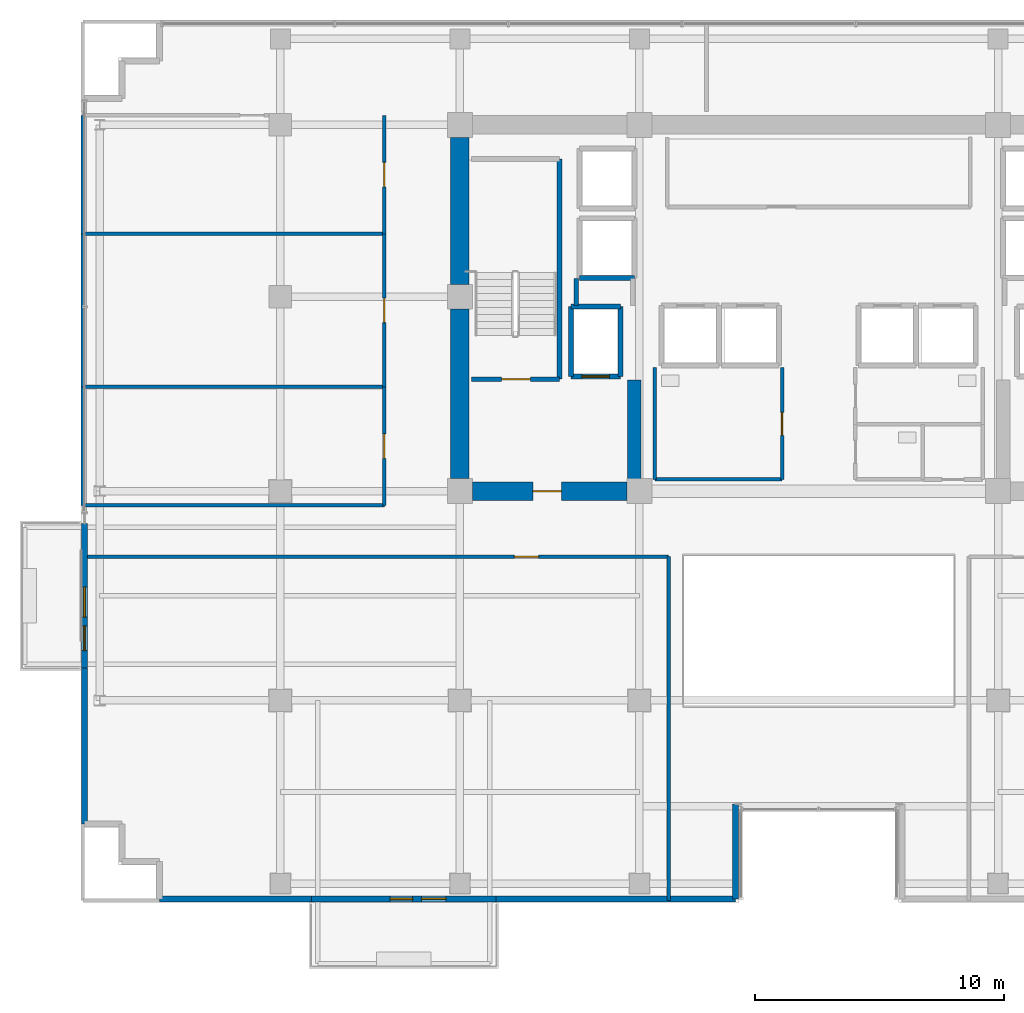
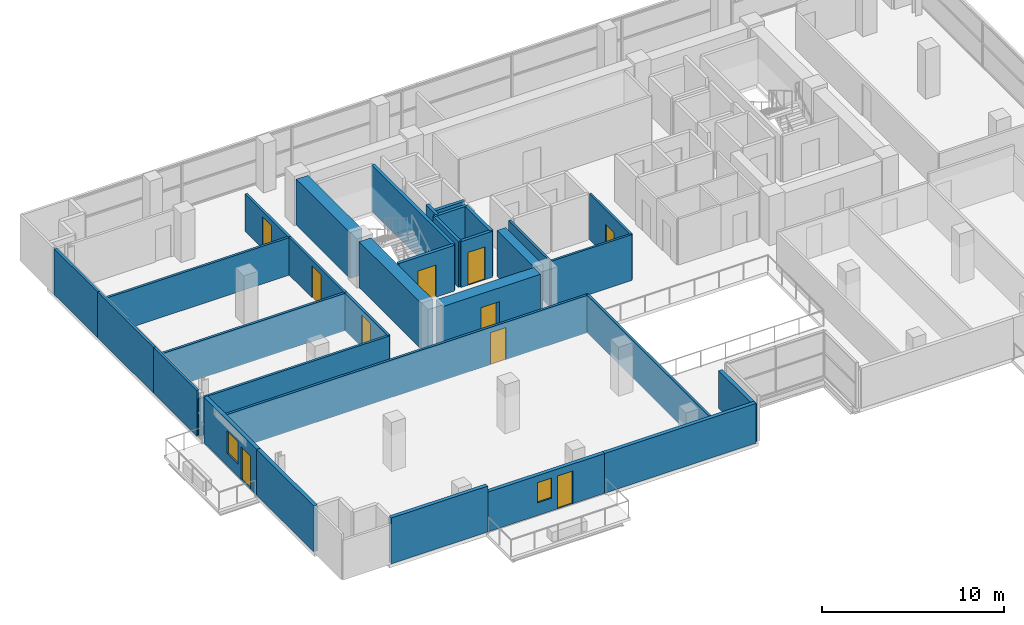
# One storey, part 20 of 28: 32 walls, 10 doors, 2 windows, 12 openings.
"""IFC4 building model written with IfcOpenShell, lengths in metres."""

from ifc_helpers import new_model, si_unit, direction, frame, frame_2d, origin, place, context, subcontext, project, spatial, rectangle, extrude, source, transform, mapped, material, layer, layer_set, type_object, element, fill, save


model = new_model("IFC4")

# Units and contexts
model_context = context("Model", 3, precision=1e-05, world=origin(), true_north=direction((0.0, 1.0)))
body_context = subcontext(model_context, "Body", "Model", "MODEL_VIEW")
ifc_project = project(units=[si_unit("LENGTHUNIT", "METRE"), si_unit("AREAUNIT", "SQUARE_METRE"), si_unit("VOLUMEUNIT", "CUBIC_METRE"), si_unit("PLANEANGLEUNIT", "RADIAN"), si_unit("MASSUNIT", "GRAM", prefix="KILO")], contexts=[model_context])

# Site, building, storey
site_placement = place(None, origin())
site = spatial("IfcSite", under=ifc_project, at=site_placement, CompositionType="ELEMENT")
building_placement = place(site_placement, origin())
building = spatial("IfcBuilding", under=site, at=building_placement, Name="Zarnakvel Exchange Tower", CompositionType="ELEMENT")
storey_placement = place(building_placement, frame((0.0, 0.0, 103.300048828125)))
storey = spatial("IfcBuildingStorey", under=building, at=storey_placement, Name="L28", CompositionType="ELEMENT", Elevation=103.300048828125)

# Walls
ifc_material_1 = material(Name="Concrete C60/75", Category="concrete")
ifc_layer_1 = layer(ifc_material_1, 0.75)
ifc_layer_set_1 = layer_set([ifc_layer_1], Name="Concrete C60/75")
wall_type_1 = type_object("IfcWallType", Name="CW-C3", PredefinedType="SHEAR", material=ifc_layer_set_1)
wall_1_placement = place(storey_placement, frame((-14.39990234375, -0.699951171875, 0.0), z_axis=(0.0, 0.0, 1.0), x_axis=(0.0, 1.0, 0.0)))
element("IfcWall", 1, at=wall_1_placement, inside=storey, type_object=wall_type_1, Name="L28 Rear Core Shear Wall W1 (CW-C3)", PredefinedType="SHEAR", context=body_context, shape_type="SweptSolid", body=[
    extrude(rectangle(XDim=6.800048828125, YDim=0.75, at=frame_2d((3.39990234375, 0.0))), origin(), (0.0, 0.0, 1.0), 3.074951171875),
])
wall_2_placement = place(storey_placement, frame((-14.39990234375, 7.10009765625, 0.0), z_axis=(0.0, 0.0, 1.0), x_axis=(0.0, 1.0, 0.0)))
element("IfcWall", 2, at=wall_2_placement, inside=storey, type_object=wall_type_1, Name="L28 Rear Core Shear Wall W2 (CW-C3)", PredefinedType="SHEAR", context=body_context, shape_type="SweptSolid", body=[
    extrude(rectangle(XDim=5.89990234375, YDim=0.75, at=frame_2d((2.949951171875, 0.0))), origin(), (0.0, 0.0, 1.0), 3.074951171875),
])

# Wall, opening, door
wall_3_placement = place(storey_placement, frame((-7.699951171875, -1.199951171875, 0.0), z_axis=(0.0, 0.0, 1.0), x_axis=(-1.0, 0.0, 0.0)))
wall_3 = element("IfcWall", 3, at=wall_3_placement, inside=storey, type_object=wall_type_1, Name="L28 Rear Core Shear Wall SW (CW-C3)", PredefinedType="SHEAR", context=body_context, shape_type="SweptSolid", body=[
    extrude(rectangle(XDim=6.199951171875, YDim=0.75, at=frame_2d((3.10009765625, 0.0))), origin(), (0.0, 0.0, 1.0), 3.074951171875),
])
opening_1_placement = place(wall_3_placement, frame((2.625, 0.0, 0.0)))
opening_1 = element("IfcOpeningElement", 4, at=opening_1_placement, cuts=wall_3, Name="Opening D-L28-03", PredefinedType="OPENING", context=body_context, shape_type="SweptSolid", body=[
    extrude(rectangle(XDim=1.14990234375, YDim=2.14990234375, at=frame_2d((0.574951171875, 1.074951171875))), frame((0.0, 0.385009765625, 0.0), z_axis=(0.0, -1.0, 0.0), x_axis=(1.0, 0.0, 0.0)), (0.0, 0.0, 1.0), 0.77001953125),
])
ifc_material_2 = material(Name="Painted Galvanised Steel S355", Category="steel")
door_type_1 = type_object("IfcDoorType", Name="DT-04", OperationType="NOTDEFINED", PredefinedType="DOOR", material=ifc_material_2)
shared_shape_1 = source(origin(), body_context, "Body", "SweptSolid", [
    extrude(rectangle(XDim=1.14990234375, YDim=2.14990234375, at=frame_2d((0.574951171875, 1.074951171875))), frame((0.0, 0.02490234375, 0.0), z_axis=(0.0, -1.0, 0.0), x_axis=(1.0, 0.0, 0.0)), (0.0, 0.0, 1.0), 0.050048828125),
])
door_1_placement = place(opening_1_placement, origin())
door_1 = element("IfcDoor", 5, at=door_1_placement, inside=storey, type_object=door_type_1, Name="L28 Firefighting Lobby West Door D-L28-03", OperationType="SINGLE_SWING_RIGHT", OverallHeight=2.14990234375, OverallWidth=1.14990234375, PredefinedType="DOOR", context=body_context, shape_type="MappedRepresentation", body=[
    mapped(shared_shape_1, transform((0.0, 0.0, 0.0), x_axis=(1.0, 0.0, 0.0), y_axis=(0.0, 1.0, 0.0), z_axis=(0.0, 0.0, 1.0), scale=1.0)),
])
fill(opening_1, door_1)

# Wall
ifc_layer_2 = layer(ifc_material_1, 0.550048828125)
ifc_layer_set_2 = layer_set([ifc_layer_2], Name="Concrete C60/75")
wall_type_2 = type_object("IfcWallType", Name="CW-C4", PredefinedType="SHEAR", material=ifc_layer_set_2)
wall_4_placement = place(storey_placement, frame((-7.39990234375, -0.824951171875, 0.0), z_axis=(0.0, 0.0, 1.0), x_axis=(0.0, 1.0, 0.0)))
element("IfcWall", 6, at=wall_4_placement, inside=storey, type_object=wall_type_2, Name="L28 Rear Core Shear Wall IW (CW-C4)", PredefinedType="SHEAR", context=body_context, shape_type="SweptSolid", body=[
    extrude(rectangle(XDim=4.074951171875, YDim=0.550048828125, at=frame_2d((2.03759765625, 0.0))), origin(), (0.0, 0.0, 1.0), 3.074951171875),
])

# Wall, openings, door, window
ifc_material_3 = material(Name="Precast concrete C40/50", Category="concrete")
ifc_layer_3 = layer(ifc_material_3, 0.239990234375)
ifc_layer_set_3 = layer_set([ifc_layer_3], Name="Precast concrete C40/50")
wall_type_3 = type_object("IfcWallType", Name="EW-02", PredefinedType="SOLIDWALL", material=ifc_layer_set_3)
wall_5_placement = place(storey_placement, frame((-12.949951171875, -17.56005859375, 0.0), z_axis=(0.0, 0.0, 1.0), x_axis=(-1.0, 0.0, 0.0)))
wall_5 = element("IfcWall", 7, at=wall_5_placement, inside=storey, type_object=wall_type_3, Name="L28 Exterior Precast Spandrel Wall EW-BAL-L28-SW (EW-02)", PredefinedType="SOLIDWALL", context=body_context, shape_type="SweptSolid", body=[
    extrude(rectangle(XDim=7.400146484375, YDim=0.239990234375, at=frame_2d((3.7001953125, 0.0))), origin(), (0.0, 0.0, 1.0), 2.6650390625),
])
opening_2_placement = place(wall_5_placement, frame((1.998046875, 0.0, 0.0)))
opening_2 = element("IfcOpeningElement", 8, at=opening_2_placement, cuts=wall_5, Name="Opening BD-L28-01", PredefinedType="OPENING", context=body_context, shape_type="SweptSolid", body=[
    extrude(rectangle(XDim=1.0, YDim=2.199951171875, at=frame_2d((0.5, 1.10009765625))), frame((0.0, 0.1298828125, 0.0), z_axis=(0.0, -1.0, 0.0), x_axis=(1.0, 0.0, 0.0)), (0.0, 0.0, 1.0), 0.260009765625),
])
opening_3_placement = place(wall_5_placement, frame((3.347900390625, 0.0, 0.85009765625)))
opening_3 = element("IfcOpeningElement", 9, at=opening_3_placement, cuts=wall_5, Name="Opening WN-06", PredefinedType="OPENING", context=body_context, shape_type="SweptSolid", body=[
    extrude(rectangle(XDim=0.89990234375, YDim=1.35009765625, at=frame_2d((0.449951171875, 0.675048828125))), frame((0.0, 0.1298828125, 0.0), z_axis=(0.0, -1.0, 0.0), x_axis=(1.0, 0.0, 0.0)), (0.0, 0.0, 1.0), 0.260009765625),
])
ifc_material_4 = material(Name="Architectural Bronze Anodised Aluminium", Category="aluminium")
door_type_2 = type_object("IfcDoorType", Name="DT-09", OperationType="NOTDEFINED", PredefinedType="DOOR", material=ifc_material_4)
shared_shape_2 = source(origin(), body_context, "Body", "SweptSolid", [
    extrude(rectangle(XDim=1.0, YDim=2.199951171875, at=frame_2d((0.5, 1.10009765625))), frame((0.0, 0.02490234375, 0.0), z_axis=(0.0, -1.0, 0.0), x_axis=(1.0, 0.0, 0.0)), (0.0, 0.0, 1.0), 0.050048828125),
])
door_2_placement = place(opening_2_placement, origin())
door_2 = element("IfcDoor", 10, at=door_2_placement, inside=storey, type_object=door_type_2, Name="L28 Planted Loggia Balcony Door BD-L28-01", OperationType="SINGLE_SWING_RIGHT", OverallHeight=2.199951171875, OverallWidth=1.0, PredefinedType="DOOR", context=body_context, shape_type="MappedRepresentation", body=[
    mapped(shared_shape_2, transform((0.0, 0.0, 0.0), x_axis=(1.0, 0.0, 0.0), y_axis=(0.0, 1.0, 0.0), z_axis=(0.0, 0.0, 1.0), scale=1.0)),
])
fill(opening_2, door_2)
ifc_material_5 = material(Name="Double Low-E Laminated Vision Glass", Category="glass")
window_type_1 = type_object("IfcWindowType", Name="WN-06", PartitioningType="SINGLE_PANEL", PredefinedType="WINDOW", material=ifc_material_5)
shared_shape_3 = source(origin(), body_context, "Body", "SweptSolid", [
    extrude(rectangle(XDim=0.89990234375, YDim=1.35009765625, at=frame_2d((0.449951171875, 0.675048828125))), frame((0.0, 0.030029296875, 0.0), z_axis=(0.0, -1.0, 0.0), x_axis=(1.0, 0.0, 0.0)), (0.0, 0.0, 1.0), 0.06005859375),
])
window_1_placement = place(opening_3_placement, origin())
window_1 = element("IfcWindow", 11, at=window_1_placement, inside=storey, type_object=window_type_1, Name="L28 Loggia Daylight Window (WN-06)", OverallHeight=1.35009765625, OverallWidth=0.89990234375, PartitioningType="SINGLE_PANEL", PredefinedType="WINDOW", context=body_context, shape_type="MappedRepresentation", body=[
    mapped(shared_shape_3, transform((0.0, 0.0, 0.0), x_axis=(1.0, 0.0, 0.0), y_axis=(0.0, 1.0, 0.0), z_axis=(0.0, 0.0, 1.0), scale=1.0)),
])
fill(opening_3, window_1)

wall_6_placement = place(storey_placement, frame((-29.4599609375, -8.300048828125, 0.0), z_axis=(0.0, 0.0, 1.0), x_axis=(0.0, 1.0, 0.0)))
wall_6 = element("IfcWall", 12, at=wall_6_placement, inside=storey, type_object=wall_type_3, Name="L28 Exterior Precast Spandrel Wall EW-BAL-L28-W (EW-02)", PredefinedType="SOLIDWALL", context=body_context, shape_type="SweptSolid", body=[
    extrude(rectangle(XDim=5.800048828125, YDim=0.239990234375, at=frame_2d((2.89990234375, 0.0))), origin(), (0.0, 0.0, 1.0), 3.074951171875),
])
opening_4_placement = place(wall_6_placement, frame((0.696044921875, 0.0, 0.0)))
opening_4 = element("IfcOpeningElement", 13, at=opening_4_placement, cuts=wall_6, Name="Opening BD-L28-03", PredefinedType="OPENING", context=body_context, shape_type="SweptSolid", body=[
    extrude(rectangle(XDim=1.0, YDim=2.199951171875, at=frame_2d((0.5, 1.10009765625))), frame((0.0, 0.1298828125, 0.0), z_axis=(0.0, -1.0, 0.0), x_axis=(1.0, 0.0, 0.0)), (0.0, 0.0, 1.0), 0.260009765625),
])
opening_5_placement = place(wall_6_placement, frame((2.0458984375, 0.0, 0.85009765625)))
opening_5 = element("IfcOpeningElement", 14, at=opening_5_placement, cuts=wall_6, Name="Opening WN-04", PredefinedType="OPENING", context=body_context, shape_type="SweptSolid", body=[
    extrude(rectangle(XDim=1.199951171875, YDim=1.5, at=frame_2d((0.60009765625, 0.75))), frame((0.0, 0.1298828125, 0.0), z_axis=(0.0, -1.0, 0.0), x_axis=(1.0, 0.0, 0.0)), (0.0, 0.0, 1.0), 0.260009765625),
])
door_3_placement = place(opening_4_placement, origin())
door_3 = element("IfcDoor", 15, at=door_3_placement, inside=storey, type_object=door_type_2, Name="L28 Planted Loggia Balcony Door BD-L28-03", OperationType="SINGLE_SWING_RIGHT", OverallHeight=2.199951171875, OverallWidth=1.0, PredefinedType="DOOR", context=body_context, shape_type="MappedRepresentation", body=[
    mapped(shared_shape_2, transform((0.0, 0.0, 0.0), x_axis=(1.0, 0.0, 0.0), y_axis=(0.0, 1.0, 0.0), z_axis=(0.0, 0.0, 1.0), scale=1.0)),
])
fill(opening_4, door_3)
window_type_2 = type_object("IfcWindowType", Name="WN-04", PartitioningType="SINGLE_PANEL", PredefinedType="WINDOW", material=ifc_material_5)
shared_shape_4 = source(origin(), body_context, "Body", "SweptSolid", [
    extrude(rectangle(XDim=1.199951171875, YDim=1.5, at=frame_2d((0.60009765625, 0.75))), frame((0.0, 0.030029296875, 0.0), z_axis=(0.0, -1.0, 0.0), x_axis=(1.0, 0.0, 0.0)), (0.0, 0.0, 1.0), 0.06005859375),
])
window_2_placement = place(opening_5_placement, origin())
window_2 = element("IfcWindow", 16, at=window_2_placement, inside=storey, type_object=window_type_2, Name="L28 Loggia Daylight Window (WN-04)", OverallHeight=1.5, OverallWidth=1.199951171875, PartitioningType="SINGLE_PANEL", PredefinedType="WINDOW", context=body_context, shape_type="MappedRepresentation", body=[
    mapped(shared_shape_4, transform((0.0, 0.0, 0.0), x_axis=(1.0, 0.0, 0.0), y_axis=(0.0, 1.0, 0.0), z_axis=(0.0, 0.0, 1.0), scale=1.0)),
])
fill(opening_5, window_2)

# Walls
wall_7_placement = place(storey_placement, frame((-29.4599609375, -8.300048828125, 0.0), z_axis=(0.0, 0.0, 1.0), x_axis=(0.0, -1.0, 0.0)))
element("IfcWall", 17, at=wall_7_placement, inside=storey, type_object=wall_type_3, Name="L28 Exterior Precast Spandrel Wall EWC-L28-01 (EW-02)", PredefinedType="SOLIDWALL", context=body_context, shape_type="SweptSolid", body=[
    extrude(rectangle(XDim=6.260009765625, YDim=0.239990234375, at=frame_2d((3.1298828125, 0.0))), origin(), (0.0, 0.0, 1.0), 3.074951171875),
])
wall_8_placement = place(storey_placement, frame((-3.340087890625, -17.56005859375, 0.0), z_axis=(0.0, 0.0, 1.0), x_axis=(0.0, 1.0, 0.0)))
element("IfcWall", 18, at=wall_8_placement, inside=storey, type_object=wall_type_3, Name="L28 Exterior Precast Spandrel Wall EWC-L28-20 (EW-02)", PredefinedType="SOLIDWALL", context=body_context, shape_type="SweptSolid", body=[
    extrude(rectangle(XDim=3.800048828125, YDim=0.239990234375, at=frame_2d((1.89990234375, 0.0))), origin(), (0.0, 0.0, 1.0), 2.514892578125),
])
wall_9_placement = place(storey_placement, frame((-12.949951171875, -17.56005859375, 0.0), z_axis=(0.0, 0.0, 1.0), x_axis=(1.0, 0.0, 0.0)))
element("IfcWall", 19, at=wall_9_placement, inside=storey, type_object=wall_type_3, Name="L28 Exterior Precast Spandrel Wall EWC-L28-21 (EW-02)", PredefinedType="SOLIDWALL", context=body_context, shape_type="SweptSolid", body=[
    extrude(rectangle(XDim=9.60986328125, YDim=0.239990234375, at=frame_2d((4.804931640625, 0.0))), origin(), (0.0, 0.0, 1.0), 2.6650390625),
])
wall_10_placement = place(storey_placement, frame((-26.4599609375, -17.56005859375, 0.0), z_axis=(0.0, 0.0, 1.0), x_axis=(1.0, 0.0, 0.0)))
element("IfcWall", 20, at=wall_10_placement, inside=storey, type_object=wall_type_3, Name="L28 Exterior Precast Spandrel Wall EWC-L28-22 (EW-02)", PredefinedType="SOLIDWALL", context=body_context, shape_type="SweptSolid", body=[
    extrude(rectangle(XDim=6.10986328125, YDim=0.239990234375, at=frame_2d((3.054931640625, 0.0))), origin(), (0.0, 0.0, 1.0), 3.074951171875),
])

# Wall, opening, door
ifc_material_6 = material(Name="Fire-Rated Gypsum Stud Partition", Category="gypsum")
ifc_layer_4 = layer(ifc_material_6, 0.14990234375)
ifc_layer_set_4 = layer_set([ifc_layer_4], Name="Fire-Rated Gypsum Stud Partition")
wall_type_4 = type_object("IfcWallType", Name="PT-01", PredefinedType="PARTITIONING", material=ifc_layer_set_4)
wall_11_placement = place(storey_placement, frame((-29.530029296875, -3.830078125, 0.0), z_axis=(0.0, 0.0, 1.0), x_axis=(1.0, 0.0, 0.0)))
wall_11 = element("IfcWall", 21, at=wall_11_placement, inside=storey, type_object=wall_type_4, Name="L28 Partition Wall PWALL-L28-026 (PT-01)", PredefinedType="PARTITIONING", context=body_context, shape_type="SweptSolid", body=[
    extrude(rectangle(XDim=23.510009765625, YDim=0.14990234375, at=frame_2d((11.7548828125, 0.0))), origin(), (0.0, 0.0, 1.0), 2.514892578125),
])
opening_6_placement = place(wall_11_placement, frame((17.31494140625, 0.0, 0.0)))
opening_6 = element("IfcOpeningElement", 22, at=opening_6_placement, cuts=wall_11, Name="Opening D-L28-10", PredefinedType="OPENING", context=body_context, shape_type="SweptSolid", body=[
    extrude(rectangle(XDim=0.97998046875, YDim=2.14990234375, at=frame_2d((0.489990234375, 1.074951171875))), frame((0.0, 0.0849609375, 0.0), z_axis=(0.0, -1.0, 0.0), x_axis=(1.0, 0.0, 0.0)), (0.0, 0.0, 1.0), 0.169921875),
])
ifc_material_7 = material(Name="Timber Acoustic Veneer", Category="wood")
door_type_3 = type_object("IfcDoorType", Name="DT-05", OperationType="NOTDEFINED", PredefinedType="DOOR", material=ifc_material_7)
shared_shape_5 = source(origin(), body_context, "Body", "SweptSolid", [
    extrude(rectangle(XDim=0.97998046875, YDim=2.14990234375, at=frame_2d((0.489990234375, 1.074951171875))), frame((0.0, 0.02490234375, 0.0), z_axis=(0.0, -1.0, 0.0), x_axis=(1.0, 0.0, 0.0)), (0.0, 0.0, 1.0), 0.050048828125),
])
door_4_placement = place(opening_6_placement, origin())
door_4 = element("IfcDoor", 23, at=door_4_placement, inside=storey, type_object=door_type_3, Name="L28 Derivatives Trading Hall Door D-L28-10", OperationType="SINGLE_SWING_LEFT", OverallHeight=2.14990234375, OverallWidth=0.97998046875, PredefinedType="DOOR", context=body_context, shape_type="MappedRepresentation", body=[
    mapped(shared_shape_5, transform((0.0, 0.0, 0.0), x_axis=(1.0, 0.0, 0.0), y_axis=(0.0, 1.0, 0.0), z_axis=(0.0, 0.0, 1.0), scale=1.0)),
])
fill(opening_6, door_4)

# Walls
wall_12_placement = place(storey_placement, frame((-6.02001953125, -3.830078125, 0.0), z_axis=(0.0, 0.0, 1.0), x_axis=(0.0, -1.0, 0.0)))
element("IfcWall", 24, at=wall_12_placement, inside=storey, type_object=wall_type_4, Name="L28 Partition Wall PWALL-L28-028 (PT-01)", PredefinedType="PARTITIONING", context=body_context, shape_type="SweptSolid", body=[
    extrude(rectangle(XDim=13.7998046875, YDim=0.14990234375, at=frame_2d((6.89990234375, 0.0))), origin(), (0.0, 0.0, 1.0), 2.514892578125),
])
for number, where, z_axis, x_axis, name in (
    (25, (-17.429931640625, -1.77001953125, 0.0), (0.0, 0.0, 1.0), (-1.0, 0.0, 0.0), "L28 Partition Wall PWALL-L28-039 (PT-01)"),
    (26, (-29.530029296875, 2.987060546875, 0.0), (0.0, 0.0, 1.0), (1.0, 0.0, 0.0), "L28 Partition Wall PWALL-L28-040 (PT-01)"),
):
    element("IfcWall", number, at=place(storey_placement, frame(where, z_axis=z_axis, x_axis=x_axis)), inside=storey, type_object=wall_type_4, Name=name, PredefinedType="PARTITIONING", context=body_context, shape_type="SweptSolid", body=[
        extrude(rectangle(XDim=12.10009765625, YDim=0.14990234375, at=frame_2d((6.050048828125, 0.0))), origin(), (0.0, 0.0, 1.0), 2.514892578125),
    ])
wall_13_placement = place(storey_placement, frame((-29.530029296875, -1.77001953125, 0.0), z_axis=(0.0, 0.0, 1.0), x_axis=(0.0, 1.0, 0.0)))
element("IfcWall", 27, at=wall_13_placement, inside=storey, type_object=wall_type_4, Name="L28 Partition Wall PWALL-L28-041 (PT-01)", PredefinedType="PARTITIONING", context=body_context, shape_type="SweptSolid", body=[
    extrude(rectangle(XDim=4.757080078125, YDim=0.14990234375, at=frame_2d((2.37841796875, 0.0))), origin(), (0.0, 0.0, 1.0), 3.074951171875),
])

# Wall, opening, door
wall_14_placement = place(storey_placement, frame((-17.429931640625, 2.987060546875, 0.0), z_axis=(0.0, 0.0, 1.0), x_axis=(0.0, -1.0, 0.0)))
wall_14 = element("IfcWall", 28, at=wall_14_placement, inside=storey, type_object=wall_type_4, Name="L28 Partition Wall PWALL-L28-042 (PT-01)", PredefinedType="PARTITIONING", context=body_context, shape_type="SweptSolid", body=[
    extrude(rectangle(XDim=4.757080078125, YDim=0.14990234375, at=frame_2d((2.37841796875, 0.0))), origin(), (0.0, 0.0, 1.0), 2.514892578125),
])
opening_7_placement = place(wall_14_placement, frame((1.887939453125, 0.0, 0.0)))
opening_7 = element("IfcOpeningElement", 29, at=opening_7_placement, cuts=wall_14, Name="Opening D-L28-14", PredefinedType="OPENING", context=body_context, shape_type="SweptSolid", body=[
    extrude(rectangle(XDim=0.97998046875, YDim=2.14990234375, at=frame_2d((0.489990234375, 1.074951171875))), frame((0.0, 0.0849609375, 0.0), z_axis=(0.0, -1.0, 0.0), x_axis=(1.0, 0.0, 0.0)), (0.0, 0.0, 1.0), 0.169921875),
])
door_5_placement = place(opening_7_placement, origin())
door_5 = element("IfcDoor", 30, at=door_5_placement, inside=storey, type_object=door_type_3, Name="L28 Executive Suite Door D-L28-14", OperationType="SINGLE_SWING_LEFT", OverallHeight=2.14990234375, OverallWidth=0.97998046875, PredefinedType="DOOR", context=body_context, shape_type="MappedRepresentation", body=[
    mapped(shared_shape_5, transform((0.0, 0.0, 0.0), x_axis=(1.0, 0.0, 0.0), y_axis=(0.0, 1.0, 0.0), z_axis=(0.0, 0.0, 1.0), scale=1.0)),
])
fill(opening_7, door_5)

# Walls
wall_15_placement = place(storey_placement, frame((-29.530029296875, 9.123046875, 0.0), z_axis=(0.0, 0.0, 1.0), x_axis=(1.0, 0.0, 0.0)))
element("IfcWall", 31, at=wall_15_placement, inside=storey, type_object=wall_type_4, Name="L28 Partition Wall PWALL-L28-043 (PT-01)", PredefinedType="PARTITIONING", context=body_context, shape_type="SweptSolid", body=[
    extrude(rectangle(XDim=12.10009765625, YDim=0.14990234375, at=frame_2d((6.050048828125, 0.0))), origin(), (0.0, 0.0, 1.0), 2.514892578125),
])
wall_16_placement = place(storey_placement, frame((-29.530029296875, 2.987060546875, 0.0), z_axis=(0.0, 0.0, 1.0), x_axis=(0.0, 1.0, 0.0)))
element("IfcWall", 32, at=wall_16_placement, inside=storey, type_object=wall_type_4, Name="L28 Partition Wall PWALL-L28-044 (PT-01)", PredefinedType="PARTITIONING", context=body_context, shape_type="SweptSolid", body=[
    extrude(rectangle(XDim=6.135986328125, YDim=0.14990234375, at=frame_2d((3.06787109375, 0.0))), origin(), (0.0, 0.0, 1.0), 3.074951171875),
])

# Wall, opening, door
wall_17_placement = place(storey_placement, frame((-17.429931640625, 9.123046875, 0.0), z_axis=(0.0, 0.0, 1.0), x_axis=(0.0, -1.0, 0.0)))
wall_17 = element("IfcWall", 33, at=wall_17_placement, inside=storey, type_object=wall_type_4, Name="L28 Partition Wall PWALL-L28-045 (PT-01)", PredefinedType="PARTITIONING", context=body_context, shape_type="SweptSolid", body=[
    extrude(rectangle(XDim=6.135986328125, YDim=0.14990234375, at=frame_2d((3.06787109375, 0.0))), origin(), (0.0, 0.0, 1.0), 2.514892578125),
])
opening_8_placement = place(wall_17_placement, frame((2.578125, 0.0, 0.0)))
opening_8 = element("IfcOpeningElement", 34, at=opening_8_placement, cuts=wall_17, Name="Opening D-L28-15", PredefinedType="OPENING", context=body_context, shape_type="SweptSolid", body=[
    extrude(rectangle(XDim=0.97998046875, YDim=2.14990234375, at=frame_2d((0.489990234375, 1.074951171875))), frame((0.0, 0.0849609375, 0.0), z_axis=(0.0, -1.0, 0.0), x_axis=(1.0, 0.0, 0.0)), (0.0, 0.0, 1.0), 0.169921875),
])
door_6_placement = place(opening_8_placement, origin())
door_6 = element("IfcDoor", 35, at=door_6_placement, inside=storey, type_object=door_type_3, Name="L28 Staff Pantry Door D-L28-15", OperationType="SINGLE_SWING_RIGHT", OverallHeight=2.14990234375, OverallWidth=0.97998046875, PredefinedType="DOOR", context=body_context, shape_type="MappedRepresentation", body=[
    mapped(shared_shape_5, transform((0.0, 0.0, 0.0), x_axis=(1.0, 0.0, 0.0), y_axis=(0.0, 1.0, 0.0), z_axis=(0.0, 0.0, 1.0), scale=1.0)),
])
fill(opening_8, door_6)

# Wall
wall_18_placement = place(storey_placement, frame((-29.530029296875, 9.123046875, 0.0), z_axis=(0.0, 0.0, 1.0), x_axis=(0.0, 1.0, 0.0)))
element("IfcWall", 36, at=wall_18_placement, inside=storey, type_object=wall_type_4, Name="L28 Partition Wall PWALL-L28-047 (PT-01)", PredefinedType="PARTITIONING", context=body_context, shape_type="SweptSolid", body=[
    extrude(rectangle(XDim=4.7568359375, YDim=0.14990234375, at=frame_2d((2.37841796875, 0.0))), origin(), (0.0, 0.0, 1.0), 3.074951171875),
])

# Wall, opening, door
wall_19_placement = place(storey_placement, frame((-17.429931640625, 13.8798828125, 0.0), z_axis=(0.0, 0.0, 1.0), x_axis=(0.0, -1.0, 0.0)))
wall_19 = element("IfcWall", 37, at=wall_19_placement, inside=storey, type_object=wall_type_4, Name="L28 Partition Wall PWALL-L28-048 (PT-01)", PredefinedType="PARTITIONING", context=body_context, shape_type="SweptSolid", body=[
    extrude(rectangle(XDim=4.7568359375, YDim=0.14990234375, at=frame_2d((2.37841796875, 0.0))), origin(), (0.0, 0.0, 1.0), 2.514892578125),
])
opening_9_placement = place(wall_19_placement, frame((1.887939453125, 0.0, 0.0)))
opening_9 = element("IfcOpeningElement", 38, at=opening_9_placement, cuts=wall_19, Name="Opening D-L28-16", PredefinedType="OPENING", context=body_context, shape_type="SweptSolid", body=[
    extrude(rectangle(XDim=0.97998046875, YDim=2.14990234375, at=frame_2d((0.489990234375, 1.074951171875))), frame((0.0, 0.0849609375, 0.0), z_axis=(0.0, -1.0, 0.0), x_axis=(1.0, 0.0, 0.0)), (0.0, 0.0, 1.0), 0.169921875),
])
door_7_placement = place(opening_9_placement, origin())
door_7 = element("IfcDoor", 39, at=door_7_placement, inside=storey, type_object=door_type_3, Name="L28 Compliance Office Door D-L28-16", OperationType="SINGLE_SWING_LEFT", OverallHeight=2.14990234375, OverallWidth=0.97998046875, PredefinedType="DOOR", context=body_context, shape_type="MappedRepresentation", body=[
    mapped(shared_shape_5, transform((0.0, 0.0, 0.0), x_axis=(1.0, 0.0, 0.0), y_axis=(0.0, 1.0, 0.0), z_axis=(0.0, 0.0, 1.0), scale=1.0)),
])
fill(opening_9, door_7)

# Walls
ifc_layer_5 = layer(ifc_material_6, 0.179931640625)
ifc_layer_set_5 = layer_set([ifc_layer_5], Name="Fire-Rated Gypsum Stud Partition")
wall_type_5 = type_object("IfcWallType", Name="PT-02", PredefinedType="PARTITIONING", material=ifc_layer_set_5)
wall_20_placement = place(storey_placement, frame((-9.72998046875, 6.239990234375, 0.0), z_axis=(0.0, 0.0, 1.0), x_axis=(0.0, 1.0, 0.0)))
element("IfcWall", 40, at=wall_20_placement, inside=storey, type_object=wall_type_5, Name="L28 Partition Wall PWALL-L28-007 (PT-02)", PredefinedType="PARTITIONING", context=body_context, shape_type="SweptSolid", body=[
    extrude(rectangle(XDim=1.090087890625, YDim=0.179931640625, at=frame_2d((0.544921875, 0.0))), origin(), (0.0, 0.0, 1.0), 3.074951171875),
])
ifc_material_8 = material(Name="Moisture-Resistant Tile-Faced Partition", Category="gypsum")
ifc_layer_6 = layer(ifc_material_8, 0.135009765625)
ifc_layer_set_6 = layer_set([ifc_layer_6], Name="Moisture-Resistant Tile-Faced Partition")
wall_type_6 = type_object("IfcWallType", Name="PT-03", PredefinedType="PARTITIONING", material=ifc_layer_set_6)
wall_21_placement = place(storey_placement, frame((-1.469970703125, -0.72998046875, 0.0), z_axis=(0.0, 0.0, 1.0), x_axis=(-1.0, 0.0, 0.0)))
element("IfcWall", 41, at=wall_21_placement, inside=storey, type_object=wall_type_6, Name="L28 Partition Wall PWALL-L28-014 (PT-03)", PredefinedType="PARTITIONING", context=body_context, shape_type="SweptSolid", body=[
    extrude(rectangle(XDim=5.110107421875, YDim=0.135009765625, at=frame_2d((2.55517578125, 0.0))), origin(), (0.0, 0.0, 1.0), 3.074951171875),
])
wall_22_placement = place(storey_placement, frame((-6.580078125, -0.72998046875, 0.0), z_axis=(0.0, 0.0, 1.0), x_axis=(0.0, 1.0, 0.0)))
element("IfcWall", 42, at=wall_22_placement, inside=storey, type_object=wall_type_6, Name="L28 Partition Wall PWALL-L28-015 (PT-03)", PredefinedType="PARTITIONING", context=body_context, shape_type="SweptSolid", body=[
    extrude(rectangle(XDim=4.489990234375, YDim=0.135009765625, at=frame_2d((2.2451171875, 0.0))), origin(), (0.0, 0.0, 1.0), 3.074951171875),
])

# Wall, opening, door
wall_23_placement = place(storey_placement, frame((-1.469970703125, 3.760009765625, 0.0), z_axis=(0.0, 0.0, 1.0), x_axis=(0.0, -1.0, 0.0)))
wall_23 = element("IfcWall", 43, at=wall_23_placement, inside=storey, type_object=wall_type_6, Name="L28 Partition Wall PWALL-L28-016 (PT-03)", PredefinedType="PARTITIONING", context=body_context, shape_type="SweptSolid", body=[
    extrude(rectangle(XDim=4.489990234375, YDim=0.135009765625, at=frame_2d((2.2451171875, 0.0))), origin(), (0.0, 0.0, 1.0), 3.074951171875),
])
opening_10_placement = place(wall_23_placement, frame((1.800048828125, 0.0, 0.0)))
opening_10 = element("IfcOpeningElement", 44, at=opening_10_placement, cuts=wall_23, Name="Opening D-L28-06", PredefinedType="OPENING", context=body_context, shape_type="SweptSolid", body=[
    extrude(rectangle(XDim=0.919921875, YDim=2.10009765625, at=frame_2d((0.4599609375, 1.050048828125))), frame((0.0, 0.077392578125, 0.0), z_axis=(0.0, -1.0, 0.0), x_axis=(1.0, 0.0, 0.0)), (0.0, 0.0, 1.0), 0.155029296875),
])
ifc_material_9 = material(Name="Moisture-Resistant Laminate Timber", Category="wood")
door_type_4 = type_object("IfcDoorType", Name="DT-07", OperationType="NOTDEFINED", PredefinedType="DOOR", material=ifc_material_9)
shared_shape_6 = source(origin(), body_context, "Body", "SweptSolid", [
    extrude(rectangle(XDim=0.919921875, YDim=2.10009765625, at=frame_2d((0.4599609375, 1.050048828125))), frame((0.0, 0.02490234375, 0.0), z_axis=(0.0, -1.0, 0.0), x_axis=(1.0, 0.0, 0.0)), (0.0, 0.0, 1.0), 0.050048828125),
])
door_8_placement = place(opening_10_placement, origin())
door_8 = element("IfcDoor", 45, at=door_8_placement, inside=storey, type_object=door_type_4, Name="L28 Male Toilet Door D-L28-06", OperationType="SINGLE_SWING_LEFT", OverallHeight=2.10009765625, OverallWidth=0.919921875, PredefinedType="DOOR", context=body_context, shape_type="MappedRepresentation", body=[
    mapped(shared_shape_6, transform((0.0, 0.0, 0.0), x_axis=(1.0, 0.0, 0.0), y_axis=(0.0, 1.0, 0.0), z_axis=(0.0, 0.0, 1.0), scale=1.0)),
])
fill(opening_10, door_8)

ifc_material_10 = material(Name="Concrete C40/50", Category="concrete")
ifc_layer_7 = layer(ifc_material_10, 0.199951171875)
ifc_layer_set_7 = layer_set([ifc_layer_7], Name="Concrete C40/50")
wall_type_7 = type_object("IfcWallType", Name="SW-01", PredefinedType="SOLIDWALL", material=ifc_layer_set_7)
wall_24_placement = place(storey_placement, frame((-7.949951171875, 3.39990234375, 0.0), z_axis=(0.0, 0.0, 1.0), x_axis=(-1.0, 0.0, 0.0)))
wall_24 = element("IfcWall", 46, at=wall_24_placement, inside=storey, type_object=wall_type_7, Name="L28 FL-01 Hoistway Wall South", PredefinedType="SOLIDWALL", context=body_context, shape_type="SweptSolid", body=[
    extrude(rectangle(XDim=2.0, YDim=0.199951171875, at=frame_2d((1.0, 0.0))), origin(), (0.0, 0.0, 1.0), 3.074951171875),
])
opening_11_placement = place(wall_24_placement, frame((0.449951171875, 0.0, 0.0)))
opening_11 = element("IfcOpeningElement", 47, at=opening_11_placement, cuts=wall_24, Name="Opening LD-FL-01-L28", PredefinedType="OPENING", context=body_context, shape_type="SweptSolid", body=[
    extrude(rectangle(XDim=1.10009765625, YDim=2.199951171875, at=frame_2d((0.550048828125, 1.10009765625))), frame((0.0, 0.10986328125, 0.0), z_axis=(0.0, -1.0, 0.0), x_axis=(1.0, 0.0, 0.0)), (0.0, 0.0, 1.0), 0.219970703125),
])
ifc_material_11 = material(Name="Brushed Stainless Steel", Category="steel")
door_type_5 = type_object("IfcDoorType", Name="LDT-01", OperationType="NOTDEFINED", PredefinedType="DOOR", material=ifc_material_11)
shared_shape_7 = source(origin(), body_context, "Body", "SweptSolid", [
    extrude(rectangle(XDim=1.10009765625, YDim=2.199951171875, at=frame_2d((0.550048828125, 1.10009765625))), frame((0.0, 0.02490234375, 0.0), z_axis=(0.0, -1.0, 0.0), x_axis=(1.0, 0.0, 0.0)), (0.0, 0.0, 1.0), 0.050048828125),
])
door_9_placement = place(opening_11_placement, origin())
door_9 = element("IfcDoor", 48, at=door_9_placement, inside=storey, type_object=door_type_5, Name="L28 FL-01 Lift Landing Door LD-FL-01-L28", OperationType="DOUBLE_DOOR_SLIDING", OverallHeight=2.199951171875, OverallWidth=1.10009765625, PredefinedType="DOOR", context=body_context, shape_type="MappedRepresentation", body=[
    mapped(shared_shape_7, transform((0.0, 0.0, 0.0), x_axis=(1.0, 0.0, 0.0), y_axis=(0.0, 1.0, 0.0), z_axis=(0.0, 0.0, 1.0), scale=1.0)),
])
fill(opening_11, door_9)

# Walls
wall_25_placement = place(storey_placement, frame((-9.949951171875, 6.199951171875, 0.0), z_axis=(0.0, 0.0, 1.0), x_axis=(1.0, 0.0, 0.0)))
element("IfcWall", 49, at=wall_25_placement, inside=storey, type_object=wall_type_7, Name="L28 FL-01 Hoistway Wall North", PredefinedType="SOLIDWALL", context=body_context, shape_type="SweptSolid", body=[
    extrude(rectangle(XDim=2.0, YDim=0.199951171875, at=frame_2d((1.0, 0.0))), origin(), (0.0, 0.0, 1.0), 3.074951171875),
])
for number, where, z_axis, x_axis, name in (
    (50, (-9.949951171875, 3.39990234375, 0.0), (0.0, 0.0, 1.0), (0.0, 1.0, 0.0), "L28 FL-01 Hoistway Wall West"),
    (51, (-7.949951171875, 6.199951171875, 0.0), (0.0, 0.0, 1.0), (0.0, -1.0, 0.0), "L28 FL-01 Hoistway Wall East"),
):
    element("IfcWall", number, at=place(storey_placement, frame(where, z_axis=z_axis, x_axis=x_axis)), inside=storey, type_object=wall_type_7, Name=name, PredefinedType="SOLIDWALL", context=body_context, shape_type="SweptSolid", body=[
        extrude(rectangle(XDim=2.800048828125, YDim=0.199951171875, at=frame_2d((1.39990234375, 0.0))), origin(), (0.0, 0.0, 1.0), 3.074951171875),
    ])
wall_26_placement = place(storey_placement, frame((-7.39990234375, 7.35009765625, 0.0), z_axis=(0.0, 0.0, 1.0), x_axis=(-1.0, 0.0, 0.0)))
element("IfcWall", 52, at=wall_26_placement, inside=storey, type_object=wall_type_7, Name="L28 PL-09 Hoistway Wall South", PredefinedType="SOLIDWALL", context=body_context, shape_type="SweptSolid", body=[
    extrude(rectangle(XDim=2.2001953125, YDim=0.199951171875, at=frame_2d((1.10009765625, 0.0))), origin(), (0.0, 0.0, 1.0), 2.514892578125),
])

# Wall, opening, door
ifc_layer_8 = layer(ifc_material_10, 0.199951171875)
ifc_layer_set_8 = layer_set([ifc_layer_8], Name="Concrete C40/50")
wall_type_8 = type_object("IfcWallType", Name="SW-02", PredefinedType="SOLIDWALL", material=ifc_layer_set_8)
wall_27_placement = place(storey_placement, frame((-10.409912109375, 3.2900390625, 0.0), z_axis=(0.0, 0.0, 1.0), x_axis=(-1.0, 0.0, 0.0)))
wall_27 = element("IfcWall", 53, at=wall_27_placement, inside=storey, type_object=wall_type_8, Name="L28 Stairwell Core Wall PWALL-L28-001 (SW-02)", PredefinedType="SOLIDWALL", context=body_context, shape_type="SweptSolid", body=[
    extrude(rectangle(XDim=3.52001953125, YDim=0.199951171875, at=frame_2d((1.760009765625, 0.0))), origin(), (0.0, 0.0, 1.0), 3.074951171875),
])
opening_12_placement = place(wall_27_placement, frame((1.1650390625, 0.0, 0.0)))
opening_12 = element("IfcOpeningElement", 54, at=opening_12_placement, cuts=wall_27, Name="Opening D-L28-01", PredefinedType="OPENING", context=body_context, shape_type="SweptSolid", body=[
    extrude(rectangle(XDim=1.14990234375, YDim=2.14990234375, at=frame_2d((0.574951171875, 1.074951171875))), frame((0.0, 0.10986328125, 0.0), z_axis=(0.0, -1.0, 0.0), x_axis=(1.0, 0.0, 0.0)), (0.0, 0.0, 1.0), 0.219970703125),
])
door_10_placement = place(opening_12_placement, origin())
door_10 = element("IfcDoor", 55, at=door_10_placement, inside=storey, type_object=door_type_1, Name="L28 Stairwell ST-01 Door D-L28-01", OperationType="SINGLE_SWING_RIGHT", OverallHeight=2.14990234375, OverallWidth=1.14990234375, PredefinedType="DOOR", context=body_context, shape_type="MappedRepresentation", body=[
    mapped(shared_shape_1, transform((0.0, 0.0, 0.0), x_axis=(1.0, 0.0, 0.0), y_axis=(0.0, 1.0, 0.0), z_axis=(0.0, 0.0, 1.0), scale=1.0)),
])
fill(opening_12, door_10)

# Wall
wall_28_placement = place(storey_placement, frame((-10.409912109375, 12.1298828125, 0.0), z_axis=(0.0, 0.0, 1.0), x_axis=(0.0, -1.0, 0.0)))
element("IfcWall", 56, at=wall_28_placement, inside=storey, type_object=wall_type_8, Name="L28 Stairwell Core Wall PWALL-L28-003 (SW-02)", PredefinedType="SOLIDWALL", context=body_context, shape_type="SweptSolid", body=[
    extrude(rectangle(XDim=8.83984375, YDim=0.199951171875, at=frame_2d((4.419921875, 0.0))), origin(), (0.0, 0.0, 1.0), 3.074951171875),
])

save(model, "model.ifc")
